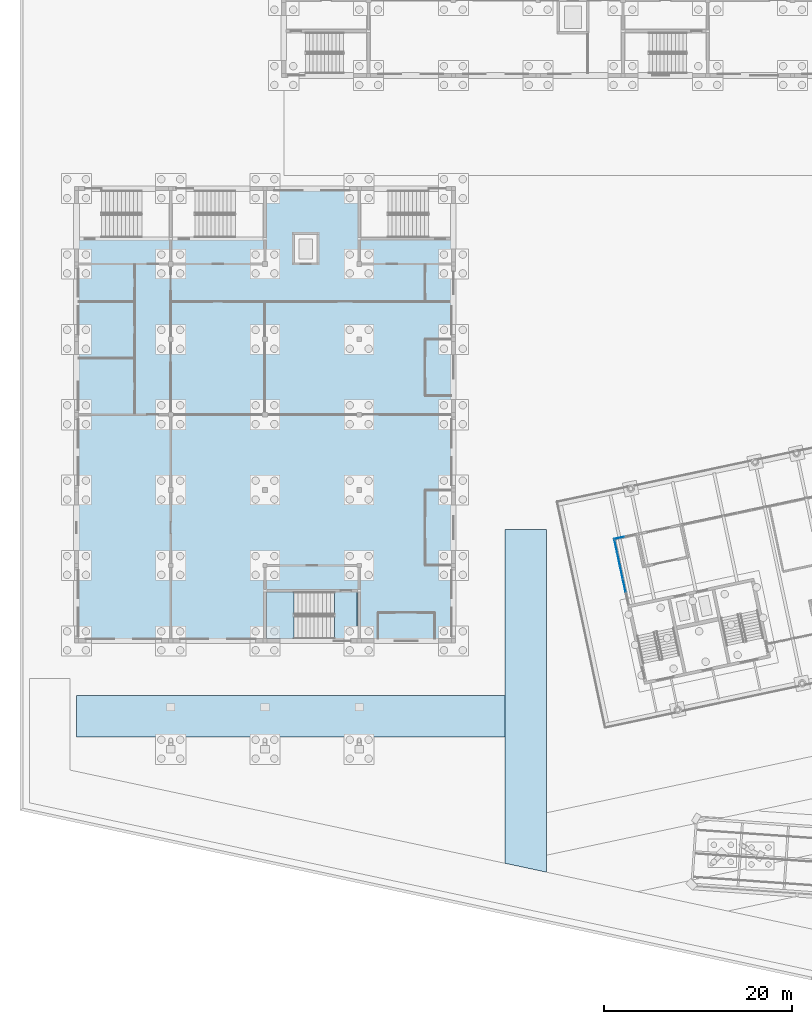
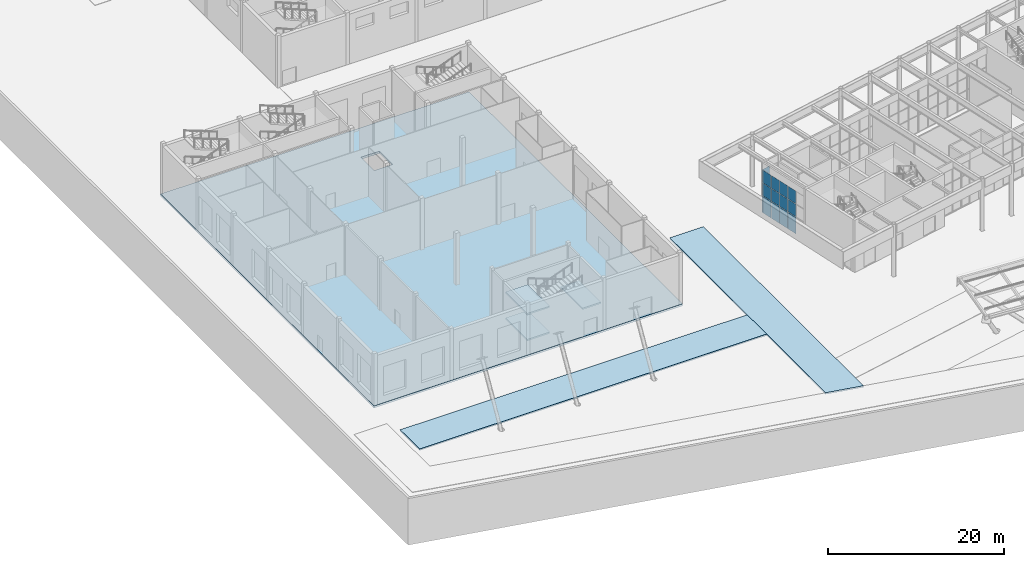
# One storey, part 138 of 239: 15 plates, 6 slabs, 3 elements without a shape of their own.
"""IFC4 building model written with IfcOpenShell, lengths in metres."""

from ifc_helpers import new_model, si_unit, direction, frame, origin, origin_2d, place, context, subcontext, project, spatial, polyline, rectangle, outline, extrude, material, layer, layer_set, type_object, element, aggregate, save


model = new_model("IFC4")

# Units and contexts
model_context = context("Model", 3, precision=1e-05, world=origin(), true_north=direction((0.0, 1.0)))
body_context = subcontext(model_context, "Body", "Model", "MODEL_VIEW")
ifc_project = project(units=[si_unit("LENGTHUNIT", "METRE"), si_unit("AREAUNIT", "SQUARE_METRE"), si_unit("VOLUMEUNIT", "CUBIC_METRE"), si_unit("PLANEANGLEUNIT", "RADIAN"), si_unit("MASSUNIT", "GRAM", prefix="KILO")], contexts=[model_context])

# Site, building, storey
site_placement = place(None, origin())
site = spatial("IfcSite", under=ifc_project, at=site_placement, CompositionType="ELEMENT")
building_placement = place(site_placement, origin())
building = spatial("IfcBuilding", under=site, at=building_placement, Name="Okhra Congress Centre", CompositionType="ELEMENT")
storey_placement = place(building_placement, origin())
storey = spatial("IfcBuildingStorey", under=building, at=storey_placement, Name="L00", CompositionType="ELEMENT", Elevation=0.0)

# Curtain wall, plates
ifc_material_1 = material(Name="Aluminium curtain wall, triple glazing", Category="aluminium")
curtain_wall_type = type_object("IfcCurtainWallType", Name="Curtain wall 1500 module", PredefinedType="NOTDEFINED", material=ifc_material_1)
curtain_wall_1_placement = place(storey_placement, origin())
curtain_wall_1 = element("IfcCurtainWall", 1, at=curtain_wall_1_placement, inside=storey, type_object=curtain_wall_type, Name="Ground curtain wall N6", PredefinedType="NOTDEFINED")
ifc_material_2 = material(Name="Triple glazing unit, low-e coating, argon fill", Category="glass")
ifc_layer_1 = layer(ifc_material_2, 0.028076171875)
ifc_layer_set_1 = layer_set([ifc_layer_1], Name="Curtain wall glazing unit 28")
plate_type = type_object("IfcPlateType", Name="Curtain wall glazing unit 28", PredefinedType="CURTAIN_PANEL", material=ifc_layer_set_1)
plate_1_placement = place(storey_placement, frame((63.598876953125, 46.931884765625, 0.06005859375), z_axis=(0.0, 0.0, 1.0), x_axis=(0.978147600734, 0.207911690818, 0.0)))
plate_1 = element("IfcPlate", 2, at=plate_1_placement, type_object=plate_type, Name="CW7 panel 1.1", PredefinedType="CURTAIN_PANEL", context=body_context, shape_type="SweptSolid", body=[
    extrude(rectangle(XDim=1.110107421875, YDim=0.028076171875, at=origin_2d()), origin(), (0.0, 0.0, 1.0), 2.31005859375),
])
plate_2_placement = place(storey_placement, frame((63.598876953125, 46.931884765625, 2.43017578125), z_axis=(0.0, 0.0, 1.0), x_axis=(0.978147600734, 0.207911690818, 0.0)))
plate_2 = element("IfcPlate", 3, at=plate_2_placement, type_object=plate_type, Name="CW7 panel 1.2", PredefinedType="CURTAIN_PANEL", context=body_context, shape_type="SweptSolid", body=[
    extrude(rectangle(XDim=1.110107421875, YDim=0.028076171875, at=origin_2d()), origin(), (0.0, 0.0, 1.0), 1.739990234375),
])
plate_3_placement = place(storey_placement, frame((63.598876953125, 46.931884765625, 4.22998046875), z_axis=(0.0, 0.0, 1.0), x_axis=(0.978147600734, 0.207911690818, 0.0)))
plate_3 = element("IfcPlate", 4, at=plate_3_placement, type_object=plate_type, Name="CW7 panel 1.3", PredefinedType="CURTAIN_PANEL", context=body_context, shape_type="SweptSolid", body=[
    extrude(rectangle(XDim=1.110107421875, YDim=0.028076171875, at=origin_2d()), origin(), (0.0, 0.0, 1.0), 1.760009765625),
])
aggregate(curtain_wall_1, [plate_1, plate_2, plate_3])

curtain_wall_2_placement = place(storey_placement, origin())
curtain_wall_2 = element("IfcCurtainWall", 5, at=curtain_wall_2_placement, inside=storey, type_object=curtain_wall_type, Name="Ground curtain wall W12", PredefinedType="NOTDEFINED")
plate_4_placement = place(storey_placement, frame((64.1240234375, 41.887939453125, 0.06005859375), z_axis=(0.0, 0.0, 1.0), x_axis=(-0.207911690818, 0.978147600734, 0.0)))
plate_4 = element("IfcPlate", 6, at=plate_4_placement, type_object=plate_type, Name="CW7 panel 2.1", PredefinedType="CURTAIN_PANEL", context=body_context, shape_type="SweptSolid", body=[
    extrude(rectangle(XDim=1.35791015625, YDim=0.028076171875, at=origin_2d()), origin(), (0.0, 0.0, 1.0), 2.31005859375),
])
plate_5_placement = place(storey_placement, frame((64.1240234375, 41.887939453125, 2.43017578125), z_axis=(0.0, 0.0, 1.0), x_axis=(-0.207911690818, 0.978147600734, 0.0)))
plate_5 = element("IfcPlate", 7, at=plate_5_placement, type_object=plate_type, Name="CW7 panel 2.2", PredefinedType="CURTAIN_PANEL", context=body_context, shape_type="SweptSolid", body=[
    extrude(rectangle(XDim=1.35791015625, YDim=0.028076171875, at=origin_2d()), origin(), (0.0, 0.0, 1.0), 1.739990234375),
])
plate_6_placement = place(storey_placement, frame((64.1240234375, 41.887939453125, 4.22998046875), z_axis=(0.0, 0.0, 1.0), x_axis=(-0.207911690818, 0.978147600734, 0.0)))
plate_6 = element("IfcPlate", 8, at=plate_6_placement, type_object=plate_type, Name="CW7 panel 2.3", PredefinedType="CURTAIN_PANEL", context=body_context, shape_type="SweptSolid", body=[
    extrude(rectangle(XDim=1.35791015625, YDim=0.028076171875, at=origin_2d()), origin(), (0.0, 0.0, 1.0), 1.760009765625),
])
plate_7_placement = place(storey_placement, frame((63.8291015625, 43.27490234375, 0.06005859375), z_axis=(0.0, 0.0, 1.0), x_axis=(-0.207911690818, 0.978147600734, 0.0)))
plate_7 = element("IfcPlate", 9, at=plate_7_placement, type_object=plate_type, Name="CW7 panel 3.1", PredefinedType="CURTAIN_PANEL", context=body_context, shape_type="SweptSolid", body=[
    extrude(rectangle(XDim=1.35791015625, YDim=0.028076171875, at=origin_2d()), origin(), (0.0, 0.0, 1.0), 2.31005859375),
])
plate_8_placement = place(storey_placement, frame((63.8291015625, 43.27490234375, 2.43017578125), z_axis=(0.0, 0.0, 1.0), x_axis=(-0.207911690818, 0.978147600734, 0.0)))
plate_8 = element("IfcPlate", 10, at=plate_8_placement, type_object=plate_type, Name="CW7 panel 3.2", PredefinedType="CURTAIN_PANEL", context=body_context, shape_type="SweptSolid", body=[
    extrude(rectangle(XDim=1.35791015625, YDim=0.028076171875, at=origin_2d()), origin(), (0.0, 0.0, 1.0), 1.739990234375),
])
plate_9_placement = place(storey_placement, frame((63.8291015625, 43.27490234375, 4.22998046875), z_axis=(0.0, 0.0, 1.0), x_axis=(-0.207911690818, 0.978147600734, 0.0)))
plate_9 = element("IfcPlate", 11, at=plate_9_placement, type_object=plate_type, Name="CW7 panel 3.3", PredefinedType="CURTAIN_PANEL", context=body_context, shape_type="SweptSolid", body=[
    extrude(rectangle(XDim=1.35791015625, YDim=0.028076171875, at=origin_2d()), origin(), (0.0, 0.0, 1.0), 1.760009765625),
])
plate_10_placement = place(storey_placement, frame((63.534423828125, 44.662109375, 0.06005859375), z_axis=(0.0, 0.0, 1.0), x_axis=(-0.207911690818, 0.978147600734, 0.0)))
plate_10 = element("IfcPlate", 12, at=plate_10_placement, type_object=plate_type, Name="CW7 panel 4.1", PredefinedType="CURTAIN_PANEL", context=body_context, shape_type="SweptSolid", body=[
    extrude(rectangle(XDim=1.35791015625, YDim=0.028076171875, at=origin_2d()), origin(), (0.0, 0.0, 1.0), 2.31005859375),
])
plate_11_placement = place(storey_placement, frame((63.534423828125, 44.662109375, 2.43017578125), z_axis=(0.0, 0.0, 1.0), x_axis=(-0.207911690818, 0.978147600734, 0.0)))
plate_11 = element("IfcPlate", 13, at=plate_11_placement, type_object=plate_type, Name="CW7 panel 4.2", PredefinedType="CURTAIN_PANEL", context=body_context, shape_type="SweptSolid", body=[
    extrude(rectangle(XDim=1.35791015625, YDim=0.028076171875, at=origin_2d()), origin(), (0.0, 0.0, 1.0), 1.739990234375),
])
plate_12_placement = place(storey_placement, frame((63.534423828125, 44.662109375, 4.22998046875), z_axis=(0.0, 0.0, 1.0), x_axis=(-0.207911690818, 0.978147600734, 0.0)))
plate_12 = element("IfcPlate", 14, at=plate_12_placement, type_object=plate_type, Name="CW7 panel 4.3", PredefinedType="CURTAIN_PANEL", context=body_context, shape_type="SweptSolid", body=[
    extrude(rectangle(XDim=1.35791015625, YDim=0.028076171875, at=origin_2d()), origin(), (0.0, 0.0, 1.0), 1.760009765625),
])
plate_13_placement = place(storey_placement, frame((63.24267578125, 46.034423828125, 0.06005859375), z_axis=(0.0, 0.0, 1.0), x_axis=(-0.207911690818, 0.978147600734, 0.0)))
plate_13 = element("IfcPlate", 15, at=plate_13_placement, type_object=plate_type, Name="CW7 panel 5.1", PredefinedType="CURTAIN_PANEL", context=body_context, shape_type="SweptSolid", body=[
    extrude(rectangle(XDim=1.327880859375, YDim=0.028076171875, at=origin_2d()), origin(), (0.0, 0.0, 1.0), 2.31005859375),
])
plate_14_placement = place(storey_placement, frame((63.24267578125, 46.034423828125, 2.43017578125), z_axis=(0.0, 0.0, 1.0), x_axis=(-0.207911690818, 0.978147600734, 0.0)))
plate_14 = element("IfcPlate", 16, at=plate_14_placement, type_object=plate_type, Name="CW7 panel 5.2", PredefinedType="CURTAIN_PANEL", context=body_context, shape_type="SweptSolid", body=[
    extrude(rectangle(XDim=1.327880859375, YDim=0.028076171875, at=origin_2d()), origin(), (0.0, 0.0, 1.0), 1.739990234375),
])
plate_15_placement = place(storey_placement, frame((63.24267578125, 46.034423828125, 4.22998046875), z_axis=(0.0, 0.0, 1.0), x_axis=(-0.207911690818, 0.978147600734, 0.0)))
plate_15 = element("IfcPlate", 17, at=plate_15_placement, type_object=plate_type, Name="CW7 panel 5.3", PredefinedType="CURTAIN_PANEL", context=body_context, shape_type="SweptSolid", body=[
    extrude(rectangle(XDim=1.327880859375, YDim=0.028076171875, at=origin_2d()), origin(), (0.0, 0.0, 1.0), 1.760009765625),
])
aggregate(curtain_wall_2, [plate_4, plate_5, plate_6, plate_7, plate_8, plate_9, plate_10, plate_11, plate_12, plate_13, plate_14, plate_15])

# Slabs
ifc_material_3 = material(Name="Concrete C30/37", Category="concrete")
ifc_layer_2 = layer(ifc_material_3, 0.219970703125)
ifc_layer_set_2 = layer_set([ifc_layer_2], Name="RC fire appliance lane slab 220 C30/37")
slab_type_1 = type_object("IfcSlabType", Name="RC fire appliance lane slab 220 C30/37", PredefinedType="BASESLAB", material=ifc_layer_set_2)
slab_1_placement = place(storey_placement, frame((0.0, 0.0, -0.219970703125)))
element("IfcSlab", 18, at=slab_1_placement, inside=storey, type_object=slab_type_1, Name="Fire Route Court West paving", PredefinedType="BASESLAB", context=body_context, shape_type="SweptSolid", body=[
    extrude(outline(polyline([(55.89990234375, 47.800048828125), (51.5, 47.800048828125), (51.5, 12.384521484375), (55.89990234375, 11.441650390625), (55.89990234375, 47.800048828125)])), origin(), (0.0, 0.0, 1.0), 0.219970703125),
])
slab_2_placement = place(storey_placement, frame((0.0, 0.0, -0.219970703125)))
element("IfcSlab", 19, at=slab_2_placement, inside=storey, type_object=slab_type_1, Name="Fire Route Restaurant paving", PredefinedType="BASESLAB", context=body_context, shape_type="SweptSolid", body=[
    extrude(outline(polyline([(51.5, 30.199951171875), (6.0, 30.199951171875), (6.0, 25.800048828125), (51.5, 25.800048828125), (51.5, 30.199951171875)])), origin(), (0.0, 0.0, 1.0), 0.219970703125),
])
ifc_material_4 = material(Name="Concrete C25/30", Category="concrete")
ifc_layer_3 = layer(ifc_material_4, 0.300048828125)
ifc_layer_set_3 = layer_set([ifc_layer_3], Name="RC ground slab 300 REI 120 C25/30")
slab_type_2 = type_object("IfcSlabType", Name="RC ground slab 300 REI 120 C25/30", PredefinedType="BASESLAB", material=ifc_layer_set_3)
slab_3_placement = place(storey_placement, frame((0.0, 0.0, -0.300048828125)))
element("IfcSlab", 20, at=slab_3_placement, inside=storey, type_object=slab_type_2, Name="Ground slab", PredefinedType="BASESLAB", context=body_context, shape_type="SweptSolid", body=[
    extrude(outline(polyline([(46.22509765625, 35.77490234375), (46.22509765625, 84.22509765625), (5.77490234375, 84.22509765625), (5.77490234375, 35.77490234375), (46.22509765625, 35.77490234375)]), holes=[polyline([(29.125, 76.125), (31.52490234375, 76.125), (31.52490234375, 79.125), (29.125, 79.125), (29.125, 76.125)])]), origin(), (0.0, 0.0, 1.0), 0.300048828125),
])

# Stair, slabs
stair_type = type_object("IfcStairType", Name="Escape stair 2400 wide, 44 risers of 163.6", PredefinedType="HALF_TURN_STAIR", material=ifc_material_3)
stair_placement = place(storey_placement, origin())
stair = element("IfcStair", 21, at=stair_placement, inside=storey, type_object=stair_type, Name="L00 Stair R4", PredefinedType="HALF_TURN_STAIR")
ifc_layer_4 = layer(ifc_material_3, 0.199951171875)
ifc_layer_set_4 = layer_set([ifc_layer_4], Name="RC stair landing 200 C30/37")
slab_type_3 = type_object("IfcSlabType", Name="RC stair landing 200 C30/37", PredefinedType="LANDING", material=ifc_layer_set_4)
slab_4_placement = place(storey_placement, frame((0.0, 0.0, 1.60009765625)))
slab_4 = element("IfcSlab", 22, at=slab_4_placement, type_object=slab_type_3, Name="R4 landing 1", PredefinedType="LANDING", context=body_context, shape_type="SweptSolid", body=[
    extrude(outline(polyline([(29.074951171875, 41.175048828125), (26.14990234375, 41.175048828125), (26.14990234375, 36.22509765625), (29.074951171875, 36.22509765625), (29.074951171875, 41.175048828125)])), origin(), (0.0, 0.0, 1.0), 0.199951171875),
])
slab_5_placement = place(storey_placement, frame((0.0, 0.0, 3.39990234375)))
slab_5 = element("IfcSlab", 23, at=slab_5_placement, type_object=slab_type_3, Name="R4 landing 2", PredefinedType="LANDING", context=body_context, shape_type="SweptSolid", body=[
    extrude(outline(polyline([(35.77490234375, 41.175048828125), (33.375, 41.175048828125), (33.375, 36.22509765625), (35.77490234375, 36.22509765625), (35.77490234375, 41.175048828125)])), origin(), (0.0, 0.0, 1.0), 0.2001953125),
])
slab_6_placement = place(storey_placement, frame((0.0, 0.0, 5.199951171875)))
slab_6 = element("IfcSlab", 24, at=slab_6_placement, type_object=slab_type_3, Name="R4 landing 3", PredefinedType="LANDING", context=body_context, shape_type="SweptSolid", body=[
    extrude(outline(polyline([(29.074951171875, 41.175048828125), (26.14990234375, 41.175048828125), (26.14990234375, 36.22509765625), (29.074951171875, 36.22509765625), (29.074951171875, 41.175048828125)])), origin(), (0.0, 0.0, 1.0), 0.199951171875),
])
aggregate(stair, [slab_4, slab_5, slab_6])

save(model, "model.ifc")
